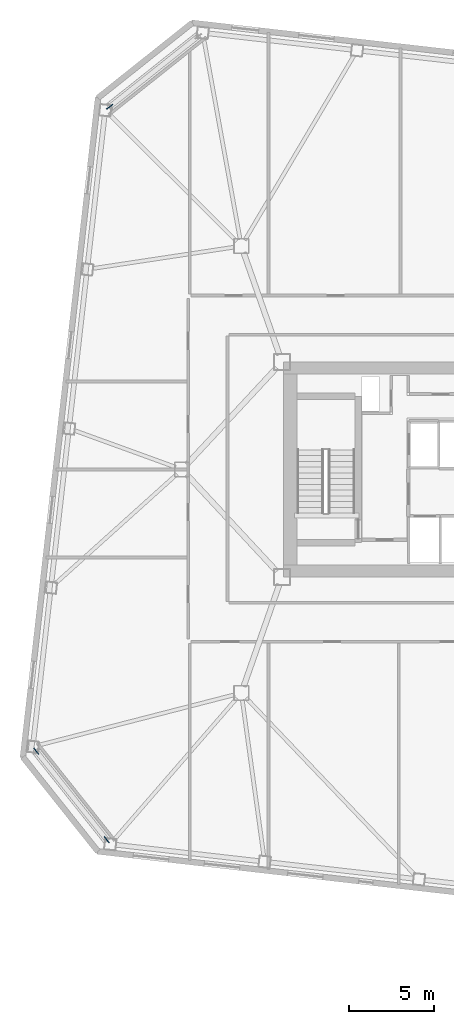
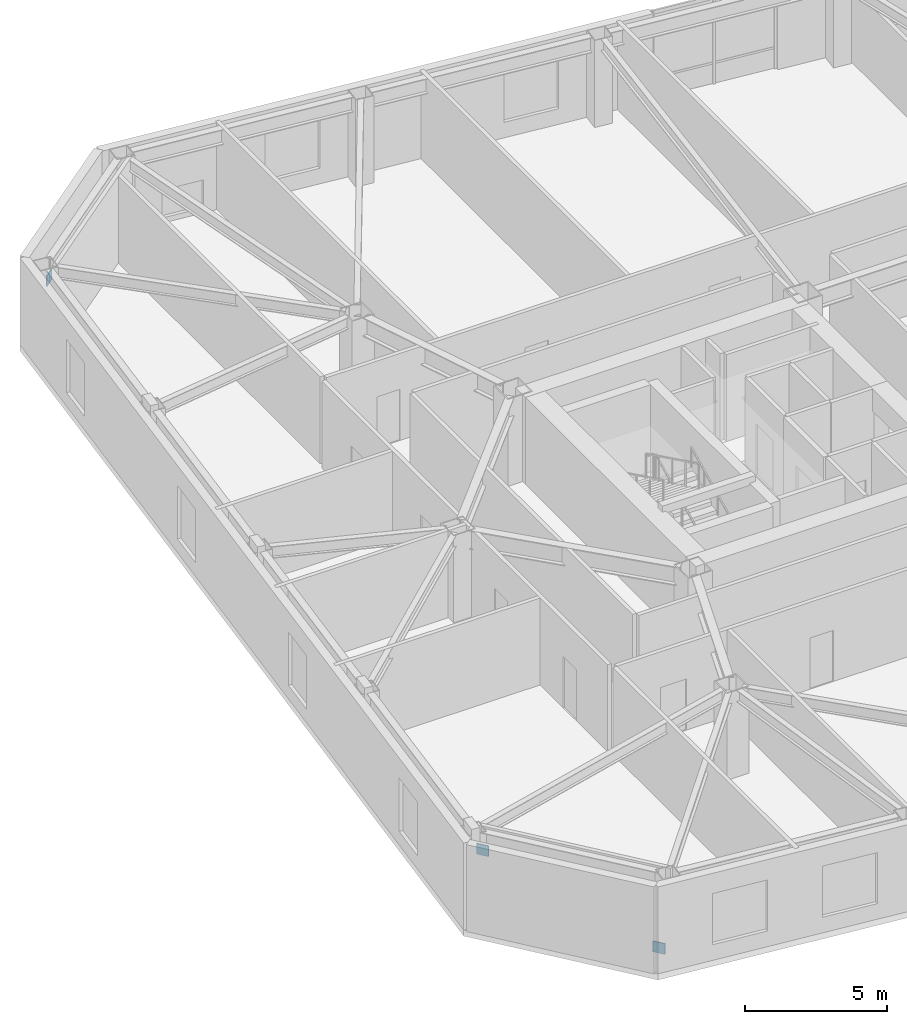
# One storey, part 18 of 22: 3 discrete accessories.
"""IFC4 building model written with IfcOpenShell, lengths in metres."""

from ifc_helpers import new_model, si_unit, direction, frame, origin, origin_2d, place, context, subcontext, project, spatial, rectangle, extrude, material, type_object, element, save


model = new_model("IFC4")

# Units and contexts
model_context = context("Model", 3, precision=1e-05, world=origin(), true_north=direction((0.0, 1.0)))
body_context = subcontext(model_context, "Body", "Model", "MODEL_VIEW")
ifc_project = project(units=[si_unit("LENGTHUNIT", "METRE"), si_unit("AREAUNIT", "SQUARE_METRE"), si_unit("VOLUMEUNIT", "CUBIC_METRE"), si_unit("PLANEANGLEUNIT", "RADIAN"), si_unit("MASSUNIT", "GRAM", prefix="KILO")], contexts=[model_context])

# Site, building, storey
site_placement = place(None, origin())
site = spatial("IfcSite", under=ifc_project, at=site_placement, CompositionType="ELEMENT")
building_placement = place(site_placement, origin())
building = spatial("IfcBuilding", under=site, at=building_placement, Name="Tavrogorsk Clinical Tower", CompositionType="ELEMENT")
storey_placement = place(building_placement, frame((0.0, 0.0, 117.39990234375)))
storey = spatial("IfcBuildingStorey", under=building, at=storey_placement, Name="L26", CompositionType="ELEMENT", Elevation=117.39990234375)

# Discrete accessories
ifc_material = material(Name="Structural steel S440", Category="steel")
discrete_accessory_type = type_object("IfcDiscreteAccessoryType", Name="GussetPlateBracket_25", PredefinedType="BRACKET", material=ifc_material)
for number, where, z_axis, x_axis, name in (
    (1, (-32.27587890625, 21.431884765625, 2.68505859375), (0.0, 0.0, 1.0), (-0.782608156852, -0.622514636638, 0.0), "L26 Brace Gusset Plate EXOCRN-L26-3-B"),
    (2, (-32.452880859375, -21.866455078125, 0.195068359375), (0.0, 0.0, 1.0), (-0.622514636638, 0.782608156852, 0.0), "L26 Brace Gusset Plate EXOCRN-L26-4-A"),
    (3, (-36.613037109375, -16.63623046875, 2.68505859375), (0.0, 0.0, 1.0), (-0.622514636638, 0.782608156852, 0.0), "L26 Brace Gusset Plate EXOCRN-L26-4-B"),
):
    element("IfcDiscreteAccessory", number, at=place(storey_placement, frame(where, z_axis=z_axis, x_axis=x_axis)), inside=storey, type_object=discrete_accessory_type, Name=name, PredefinedType="BRACKET", context=body_context, shape_type="SweptSolid", body=[
        extrude(rectangle(XDim=0.4599609375, YDim=0.0400390625, at=origin_2d()), origin(), (0.0, 0.0, 1.0), 0.4599609375),
    ])

save(model, "model.ifc")
